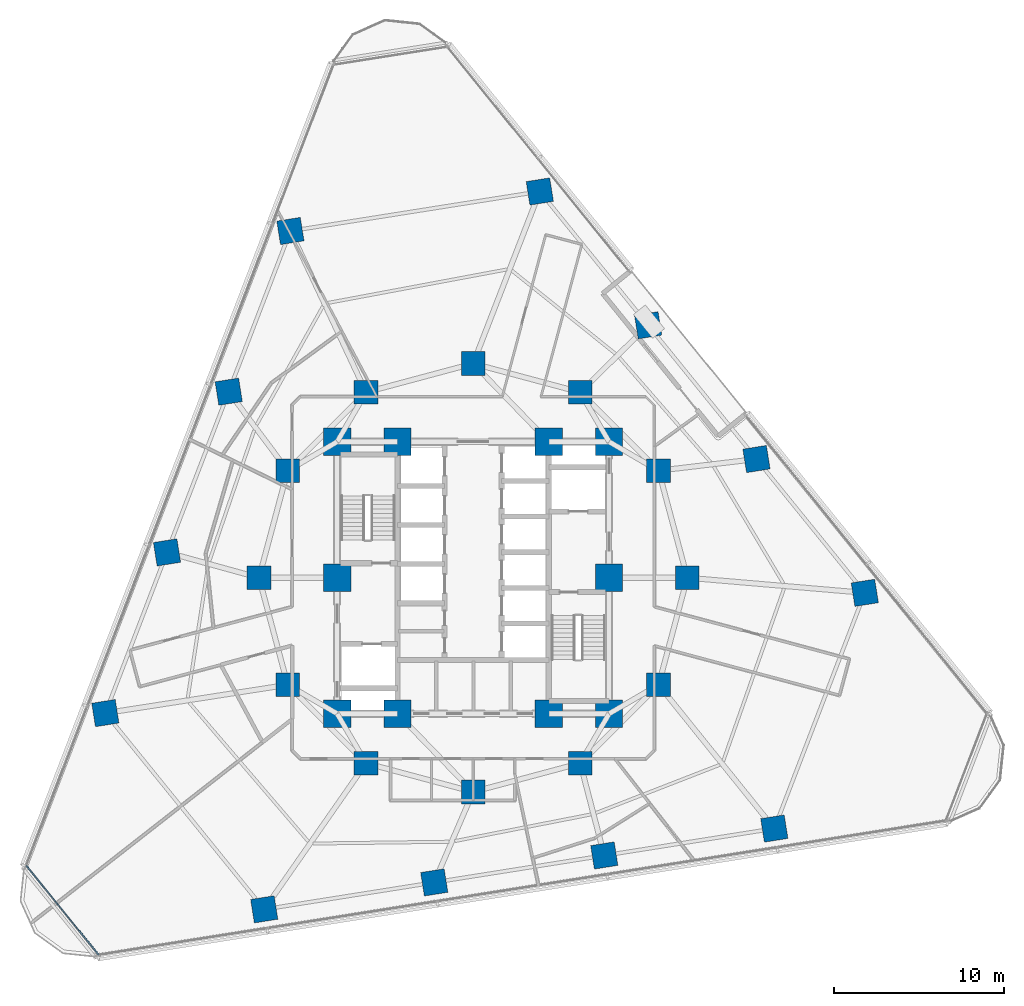
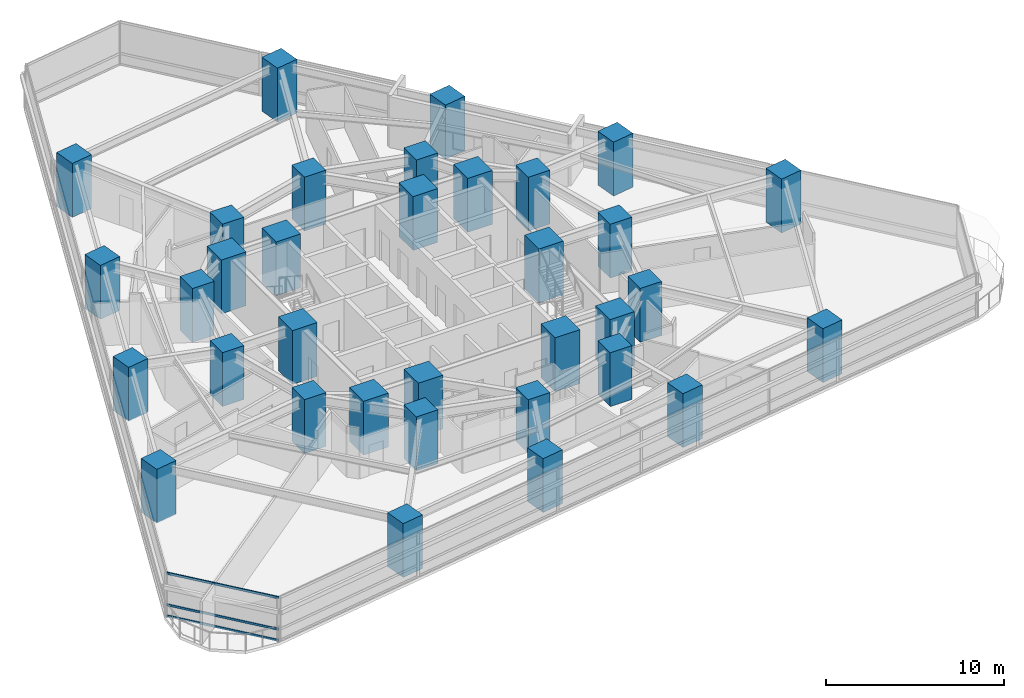
# One storey, part 1 of 13: 34 columns, 3 members, 1 element without a shape of its own.
"""IFC4 building model written with IfcOpenShell, lengths in metres."""

import ifcopenshell
import ifcopenshell.guid

model = None  # the IFC model being written
_history = None  # IfcOwnerHistory: only IFC2X3 demands one
_inside = {}  # id of a spatial element -> (the spatial element, [elements in it])
_under = {}  # id of a project, library or spatial element -> (it, [spatial elements below it])
_declared = {}  # id of a project -> (the project, [libraries it declares])
_typed = {}  # id of a type object -> (the type object, [elements of that type])
_made_of = {}  # id of a material, layer set ... -> (it, [elements and type objects made of it])


def new_model(schema):
    """Start an empty IFC model of exactly this schema.

    Asked for "IFC4X3", IfcOpenShell would pick the latest addendum, in which some entities
    have other attributes; the version numbers below select the first issue.
    IFC2X3 requires an IfcOwnerHistory on every rooted entity: one is made here for all.
    """
    global model, _history
    if schema == "IFC4X3":
        model = ifcopenshell.file(schema_version=(4, 3, 0, 0))
    else:
        model = ifcopenshell.file(schema=schema)
    _inside.clear()
    _under.clear()
    _declared.clear()
    _typed.clear()
    _made_of.clear()
    _history = None
    if model.schema == "IFC2X3":
        org = make("IfcOrganization", Name="unknown")
        user = make(
            "IfcPersonAndOrganization",
            ThePerson=make("IfcPerson", FamilyName="unknown"),
            TheOrganization=org,
        )
        app = make(
            "IfcApplication",
            ApplicationDeveloper=org,
            Version="unknown",
            ApplicationFullName="unknown",
            ApplicationIdentifier="unknown",
        )
        _history = make(
            "IfcOwnerHistory",
            OwningUser=user,
            OwningApplication=app,
            ChangeAction="ADDED",
            CreationDate=0,
        )
    return model


def make(cls, **values):
    """One entity of the class cls with the attributes given. An attribute that is None is left unset."""
    return model.create_entity(
        cls, **{name: value for name, value in values.items() if value is not None}
    )


def rooted(cls, **values):
    """An entity with a GlobalId (a new one), such as an element, a storey or a relation."""
    return make(cls, GlobalId=ifcopenshell.guid.new(), OwnerHistory=_history, **values)


def si_unit(unit_type, name, prefix=None):
    """IfcSIUnit, for example si_unit("LENGTHUNIT", "METRE", prefix="MILLI")."""
    return make("IfcSIUnit", UnitType=unit_type, Prefix=prefix, Name=name)


def assignment(units):
    """IfcUnitAssignment: the units of a project."""
    return None if units is None else make("IfcUnitAssignment", Units=units)


def point(xyz):
    """IfcCartesianPoint."""
    return None if xyz is None else make("IfcCartesianPoint", Coordinates=xyz)


def direction(xyz):
    """IfcDirection."""
    return None if xyz is None else make("IfcDirection", DirectionRatios=xyz)


def frame(location, z_axis=None, x_axis=None):
    """IfcAxis2Placement3D, a coordinate frame: its origin and axes. An axis left out is left unset."""
    return make(
        "IfcAxis2Placement3D",
        Location=point(location),
        Axis=direction(z_axis),
        RefDirection=direction(x_axis),
    )


def frame_2d(location, x_axis=None):
    """IfcAxis2Placement2D, a coordinate frame in the plane: its origin and x axis."""
    return make(
        "IfcAxis2Placement2D", Location=point(location), RefDirection=direction(x_axis)
    )


def origin():
    """The frame at (0, 0, 0) with its axes left unset."""
    return frame((0.0, 0.0, 0.0))


def origin_2d():
    """The frame at (0, 0) in the plane with its x axis left unset."""
    return frame_2d((0.0, 0.0))


def place(relative_to, where):
    """IfcLocalPlacement: puts the frame where relative to a parent placement (None: the world)."""
    return make(
        "IfcLocalPlacement", PlacementRelTo=relative_to, RelativePlacement=where
    )


def context(
    kind, dimensions, precision=None, world=None, true_north=None, identifier=None
):
    """IfcGeometricRepresentationContext, for example the 3D "Model" context."""
    return make(
        "IfcGeometricRepresentationContext",
        ContextIdentifier=identifier,
        ContextType=kind,
        CoordinateSpaceDimension=dimensions,
        Precision=precision,
        WorldCoordinateSystem=world,
        TrueNorth=true_north,
    )


def subcontext(parent, identifier, kind, view, scale=None):
    """IfcGeometricRepresentationSubContext, for example "Body" below "Model"."""
    return make(
        "IfcGeometricRepresentationSubContext",
        ContextIdentifier=identifier,
        ContextType=kind,
        ParentContext=parent,
        TargetScale=scale,
        TargetView=view,
    )


def project(units=None, contexts=None):
    """IfcProject with its units and contexts."""
    return rooted(
        "IfcProject",
        Name="project",
        RepresentationContexts=contexts,
        UnitsInContext=assignment(units),
    )


def spatial(cls, under=None, at=None, **own):
    """A site, building, storey or space (cls), placed at a placement, below another one or the project."""
    s = rooted(cls, ObjectPlacement=at, **own)
    if under is not None:
        _under.setdefault(under.id(), (under, []))[1].append(s)
    return s


def profile(cls, at=None, kind="AREA", **sizes):
    """A parametric profile (cls). Its sizes go by their IFC names, for example OverallWidth=200.0."""
    return make(cls, ProfileType=kind, Position=at, **sizes)


def rectangle(**sizes):
    """IfcRectangleProfileDef."""
    return profile("IfcRectangleProfileDef", **sizes)


def extrude(swept, where, along, depth):
    """IfcExtrudedAreaSolid: the profile swept, set in the frame where, extruded along a direction by depth."""
    return make(
        "IfcExtrudedAreaSolid",
        SweptArea=swept,
        Position=where,
        ExtrudedDirection=direction(along),
        Depth=depth,
    )


def shape(context_of_items, identifier, shape_type, items):
    """IfcShapeRepresentation: the items that make up one representation, for example the "Body"."""
    return make(
        "IfcShapeRepresentation",
        ContextOfItems=context_of_items,
        RepresentationIdentifier=identifier,
        RepresentationType=shape_type,
        Items=items,
    )


def material(Name=None, Category=None):
    """IfcMaterial."""
    return make("IfcMaterial", Name=Name, Category=Category)


def layer(
    of_material, thickness, ventilated=None, Name=None, Category=None, Priority=None
):
    """IfcMaterialLayer: one layer of a wall or slab, of a material (None: an air gap)."""
    return make(
        "IfcMaterialLayer",
        Material=of_material,
        LayerThickness=thickness,
        IsVentilated=ventilated,
        Name=Name,
        Category=Category,
        Priority=Priority,
    )


def layer_set(layers, Name=None):
    """IfcMaterialLayerSet."""
    return make("IfcMaterialLayerSet", MaterialLayers=layers, LayerSetName=Name)


def material_profile(
    of_material, cross_section, Name=None, Category=None, Priority=None
):
    """IfcMaterialProfile: a cross section and its material."""
    return make(
        "IfcMaterialProfile",
        Name=Name,
        Material=of_material,
        Profile=cross_section,
        Priority=Priority,
        Category=Category,
    )


def profile_set(profiles, Name=None, composite=None):
    """IfcMaterialProfileSet."""
    return make(
        "IfcMaterialProfileSet",
        Name=Name,
        MaterialProfiles=profiles,
        CompositeProfile=composite,
    )


def made_of(thing, what):
    """Note that an element or type object is made of a material, layer set ...; save() writes the relation."""
    if what is not None:
        _made_of.setdefault(what.id(), (what, []))[1].append(thing)
    return thing


def type_object(cls, material=None, **own):
    """A type object (cls), such as IfcWallType, which elements share."""
    return made_of(rooted(cls, **own), material)


def element(
    cls,
    number,
    at=None,
    inside=None,
    cuts=None,
    type_object=None,
    material=None,
    context=None,
    identifier="Body",
    shape_type=None,
    held_by="IfcProductDefinitionShape",
    body=None,
    shapes=None,
    **own,
):
    """One element of the class cls, such as IfcWall. Its Tag is "e" and its number.

    at: its placement. inside: the storey or other place that contains it. cuts: it is an
    opening in that element (IfcRelVoidsElement). A single representation is given by context,
    identifier, shape_type and body (its items); several are given by shapes. held_by: the class
    of the entity that holds the representations. save() writes the other relations.
    """
    e = rooted(cls, Tag="e%d" % number, ObjectPlacement=at, **own)
    if body is not None:
        shapes = [shape(context, identifier, shape_type, body)]
    if shapes is not None:
        e.Representation = make(held_by, Representations=shapes)
    if inside is not None:
        _inside.setdefault(inside.id(), (inside, []))[1].append(e)
    if cuts is not None:
        rooted(
            "IfcRelVoidsElement", RelatingBuildingElement=cuts, RelatedOpeningElement=e
        )
    if type_object is not None:
        _typed.setdefault(type_object.id(), (type_object, []))[1].append(e)
    return made_of(e, material)


def aggregate(whole, parts):
    """IfcRelAggregates: a whole, such as a stair, and the parts it consists of."""
    return rooted("IfcRelAggregates", RelatingObject=whole, RelatedObjects=parts)


def save(model, path):
    """Write the relations noted so far, then the file.

    IfcRelAggregates (storeys below a building ...), IfcRelContainedInSpatialStructure (elements
    in a storey), IfcRelDefinesByType, IfcRelAssociatesMaterial and IfcRelDeclares: one each for
    every whole, place, type object, material and project.
    """
    for whole, parts in _under.values():
        aggregate(whole, parts)
    for where, things in _inside.values():
        rooted(
            "IfcRelContainedInSpatialStructure",
            RelatedElements=things,
            RelatingStructure=where,
        )
    for kind, things in _typed.values():
        rooted("IfcRelDefinesByType", RelatedObjects=things, RelatingType=kind)
    for what, things in _made_of.values():
        rooted("IfcRelAssociatesMaterial", RelatedObjects=things, RelatingMaterial=what)
    for by, libraries in _declared.values():
        rooted("IfcRelDeclares", RelatingContext=by, RelatedDefinitions=libraries)
    model.write(path)


model = new_model("IFC4")

# Units and contexts
model_context = context("Model", 3, precision=1e-05, world=origin(), true_north=direction((0.0, 1.0)))
body_context = subcontext(model_context, "Body", "Model", "MODEL_VIEW")
ifc_project = project(units=[si_unit("LENGTHUNIT", "METRE"), si_unit("AREAUNIT", "SQUARE_METRE"), si_unit("VOLUMEUNIT", "CUBIC_METRE"), si_unit("PLANEANGLEUNIT", "RADIAN"), si_unit("MASSUNIT", "GRAM", prefix="KILO")], contexts=[model_context])

# Site, building, storey
site_placement = place(None, origin())
site = spatial("IfcSite", under=ifc_project, at=site_placement, CompositionType="ELEMENT")
building_placement = place(site_placement, origin())
building = spatial("IfcBuilding", under=site, at=building_placement, Name="Terralouvre Media Tower", CompositionType="ELEMENT")
storey_placement = place(building_placement, frame((0.0, 0.0, 77.800048828125)))
storey = spatial("IfcBuildingStorey", under=building, at=storey_placement, Name="L19", CompositionType="ELEMENT", Elevation=77.800048828125)

# Columns
ifc_material_1 = material(Name="Concrete C60/75", Category="concrete")
ifc_material_profile_1 = material_profile(ifc_material_1, rectangle(XDim=1.39990234375, YDim=1.39990234375, at=origin_2d()), Name="RC 1400x1400")
ifc_profile_set_1 = profile_set([ifc_material_profile_1], Name="Concrete C60/75")
column_type_1 = type_object("IfcColumnType", Name="Structural Column C-RC1400 (RC 1400x1400)", PredefinedType="COLUMN", material=ifc_profile_set_1)
for number, where, z_axis, x_axis, name in (
    (1, (12.60009765625, 0.0, 0.0), (0.0, 0.0, 1.0), (1.0, 0.0, 0.0), "L19 Mega-Frame Column MC01"),
    (2, (10.911865234375, 6.300048828125, 0.0), (0.0, 0.0, 1.0), (1.0, 0.0, 0.0), "L19 Mega-Frame Column MC02"),
    (3, (6.300048828125, 10.911865234375, 0.0), (0.0, 0.0, 1.0), (1.0, 0.0, 0.0), "L19 Mega-Frame Column MC03"),
    (4, (0.0, 12.60009765625, 0.0), (0.0, 0.0, 1.0), (1.0, 0.0, 0.0), "L19 Mega-Frame Column MC04"),
    (5, (-6.300048828125, 10.911865234375, 0.0), (0.0, 0.0, 1.0), (1.0, 0.0, 0.0), "L19 Mega-Frame Column MC05"),
    (6, (-10.911865234375, 6.300048828125, 0.0), (0.0, 0.0, 1.0), (1.0, 0.0, 0.0), "L19 Mega-Frame Column MC06"),
    (7, (-12.60009765625, 0.0, 0.0), (0.0, 0.0, 1.0), (1.0, 0.0, 0.0), "L19 Mega-Frame Column MC07"),
    (8, (-10.911865234375, -6.300048828125, 0.0), (0.0, 0.0, 1.0), (1.0, 0.0, 0.0), "L19 Mega-Frame Column MC08"),
    (9, (-6.300048828125, -10.911865234375, 0.0), (0.0, 0.0, 1.0), (1.0, 0.0, 0.0), "L19 Mega-Frame Column MC09"),
    (10, (0.0, -12.60009765625, 0.0), (0.0, 0.0, 1.0), (1.0, 0.0, 0.0), "L19 Mega-Frame Column MC10"),
    (11, (6.300048828125, -10.911865234375, 0.0), (0.0, 0.0, 1.0), (1.0, 0.0, 0.0), "L19 Mega-Frame Column MC11"),
    (12, (10.911865234375, -6.300048828125, 0.0), (0.0, 0.0, 1.0), (1.0, 0.0, 0.0), "L19 Mega-Frame Column MC12"),
    (13, (-12.291015625, -19.511474609375, 0.0), (0.0, 0.0, 1.0), (0.987688340595, 0.15643446504, 0.0), "L19 Perimeter Mega-Column PC11"),
    (14, (-2.287841796875, -17.927001953125, 0.0), (0.0, 0.0, 1.0), (0.987688340595, 0.15643446504, 0.0), "L19 Perimeter Mega-Column PC12"),
    (15, (7.715576171875, -16.3427734375, 0.0), (0.0, 0.0, 1.0), (0.987688340595, 0.15643446504, 0.0), "L19 Perimeter Mega-Column PC13"),
    (16, (17.71875, -14.75830078125, 0.0), (0.0, 0.0, 1.0), (0.987688340595, 0.15643446504, 0.0), "L19 Perimeter Mega-Column PC14"),
    (17, (23.04296875, -0.888671875, 0.0), (0.0, 0.0, 1.0), (0.987688340595, 0.15643446504, 0.0), "L19 Perimeter Mega-Column PC21"),
    (18, (16.669189453125, 6.982421875, 0.0), (0.0, 0.0, 1.0), (0.987688340595, 0.15643446504, 0.0), "L19 Perimeter Mega-Column PC22"),
    (19, (10.29541015625, 14.853271484375, 0.0), (0.0, 0.0, 1.0), (0.987688340595, 0.15643446504, 0.0), "L19 Perimeter Mega-Column PC23"),
    (20, (3.921630859375, 22.72412109375, 0.0), (0.0, 0.0, 1.0), (0.987688340595, 0.15643446504, 0.0), "L19 Perimeter Mega-Column PC24"),
    (21, (-10.751953125, 20.400146484375, 0.0), (0.0, 0.0, 1.0), (0.987688340595, 0.15643446504, 0.0), "L19 Perimeter Mega-Column PC31"),
    (22, (-14.38134765625, 10.94482421875, 0.0), (0.0, 0.0, 1.0), (0.987688340595, 0.15643446504, 0.0), "L19 Perimeter Mega-Column PC32"),
    (23, (-18.010986328125, 1.489501953125, 0.0), (0.0, 0.0, 1.0), (0.987688340595, 0.15643446504, 0.0), "L19 Perimeter Mega-Column PC33"),
    (24, (-21.640625, -7.9658203125, 0.0), (0.0, 0.0, 1.0), (0.987688340595, 0.15643446504, 0.0), "L19 Perimeter Mega-Column PC34"),
):
    element("IfcColumn", number, at=place(storey_placement, frame(where, z_axis=z_axis, x_axis=x_axis)), inside=storey, type_object=column_type_1, Name=name, PredefinedType="COLUMN", context=body_context, shape_type="SweptSolid", body=[
        extrude(rectangle(XDim=1.39990234375, YDim=1.39990234375, at=origin_2d()), origin(), (0.0, 0.0, 1.0), 3.699951171875),
    ])
ifc_material_2 = material(Name="Concrete C60/75", Category="concrete")
ifc_material_profile_2 = material_profile(ifc_material_2, rectangle(XDim=1.60009765625, YDim=1.60009765625, at=origin_2d()), Name="RC 1600x1600")
ifc_profile_set_2 = profile_set([ifc_material_profile_2], Name="Concrete C60/75")
column_type_2 = type_object("IfcColumnType", Name="Structural Column C-RC1600 (RC 1600x1600)", PredefinedType="COLUMN", material=ifc_profile_set_2)
for number, where, z_axis, x_axis, name in (
    (25, (-8.0, -8.0, 0.0), (0.0, 0.0, 1.0), (1.0, 0.0, 0.0), "L19 Core Pilaster Column CP1"),
    (26, (-4.449951171875, -8.0, 0.0), (0.0, 0.0, 1.0), (1.0, 0.0, 0.0), "L19 Core Pilaster Column CP2"),
    (27, (4.449951171875, -8.0, 0.0), (0.0, 0.0, 1.0), (1.0, 0.0, 0.0), "L19 Core Pilaster Column CP10"),
    (28, (8.0, -8.0, 0.0), (0.0, 0.0, 1.0), (1.0, 0.0, 0.0), "L19 Core Pilaster Column CP3"),
    (29, (8.0, 0.0, 0.0), (0.0, 0.0, 1.0), (1.0, 0.0, 0.0), "L19 Core Pilaster Column CP4"),
    (30, (8.0, 8.0, 0.0), (0.0, 0.0, 1.0), (1.0, 0.0, 0.0), "L19 Core Pilaster Column CP5"),
    (31, (4.449951171875, 8.0, 0.0), (0.0, 0.0, 1.0), (1.0, 0.0, 0.0), "L19 Core Pilaster Column CP9"),
    (32, (-4.449951171875, 8.0, 0.0), (0.0, 0.0, 1.0), (1.0, 0.0, 0.0), "L19 Core Pilaster Column CP6"),
    (33, (-8.0, 8.0, 0.0), (0.0, 0.0, 1.0), (1.0, 0.0, 0.0), "L19 Core Pilaster Column CP7"),
    (34, (-8.0, 0.0, 0.0), (0.0, 0.0, 1.0), (1.0, 0.0, 0.0), "L19 Core Pilaster Column CP8"),
):
    element("IfcColumn", number, at=place(storey_placement, frame(where, z_axis=z_axis, x_axis=x_axis)), inside=storey, type_object=column_type_2, Name=name, PredefinedType="COLUMN", context=body_context, shape_type="SweptSolid", body=[
        extrude(rectangle(XDim=1.60009765625, YDim=1.60009765625, at=origin_2d()), origin(), (0.0, 0.0, 1.0), 3.699951171875),
    ])

# Curtain wall, members
ifc_material_3 = material(Name="Low-iron laminated double glazing with solar-control coating", Category="glass")
ifc_layer = layer(ifc_material_3, 0.1650390625, Name="Rounded Wind-Corner Curved Glazing CW-04")
ifc_layer_set = layer_set([ifc_layer], Name="Low-iron laminated double glazing with solar-control coating")
curtain_wall_type = type_object("IfcCurtainWallType", Name="Rounded Wind-Corner Curved Glazing CW-04", PredefinedType="NOTDEFINED", material=ifc_layer_set)
curtain_wall_placement = place(storey_placement, origin())
curtain_wall = element("IfcCurtainWall", 35, at=curtain_wall_placement, inside=storey, type_object=curtain_wall_type, Name="L19 Rounded Wind-Corner Curtain Wall C0", PredefinedType="NOTDEFINED")
ifc_material_4 = material(Name="Anodised extruded aluminium 6063-T6", Category="aluminium")
ifc_material_profile_3 = material_profile(ifc_material_4, rectangle(XDim=0.074951171875, YDim=0.14990234375, at=origin_2d()), Name="ALU 75x150")
ifc_profile_set_3 = profile_set([ifc_material_profile_3], Name="Anodised extruded aluminium 6063-T6")
member_type = type_object("IfcMemberType", Name="Curtain-Wall Horizontal Transom TR-150", PredefinedType="USERDEFINED", material=ifc_profile_set_3)
member_1_placement = place(storey_placement, frame((-26.281005859375, -16.943359375, 0.037353515625), z_axis=(0.629324238094, -0.777142846167, 0.0), x_axis=(0.777142846167, 0.629324238094, 0.0)))
member_1 = element("IfcMember", 36, at=member_1_placement, type_object=member_type, Name="CW-04 transom 1.1", ObjectType="TRANSOM", PredefinedType="USERDEFINED", context=body_context, shape_type="SweptSolid", body=[
    extrude(rectangle(XDim=0.074951171875, YDim=0.14990234375, at=origin_2d()), origin(), (0.0, 0.0, 1.0), 6.74365234375),
])
member_2_placement = place(storey_placement, frame((-26.281005859375, -16.943359375, 0.800048828125), z_axis=(0.629324238094, -0.777142846167, 0.0), x_axis=(0.777142846167, 0.629324238094, 0.0)))
member_2 = element("IfcMember", 37, at=member_2_placement, type_object=member_type, Name="CW-04 transom 1.2", ObjectType="TRANSOM", PredefinedType="USERDEFINED", context=body_context, shape_type="SweptSolid", body=[
    extrude(rectangle(XDim=0.074951171875, YDim=0.14990234375, at=origin_2d()), origin(), (0.0, 0.0, 1.0), 6.74365234375),
])
member_3_placement = place(storey_placement, frame((-26.281005859375, -16.943359375, 2.96240234375), z_axis=(0.629324238094, -0.777142846167, 0.0), x_axis=(0.777142846167, 0.629324238094, 0.0)))
member_3 = element("IfcMember", 38, at=member_3_placement, type_object=member_type, Name="CW-04 transom 1.3", ObjectType="TRANSOM", PredefinedType="USERDEFINED", context=body_context, shape_type="SweptSolid", body=[
    extrude(rectangle(XDim=0.074951171875, YDim=0.14990234375, at=origin_2d()), origin(), (0.0, 0.0, 1.0), 6.74365234375),
])
aggregate(curtain_wall, [member_1, member_2, member_3])

save(model, "model.ifc")
